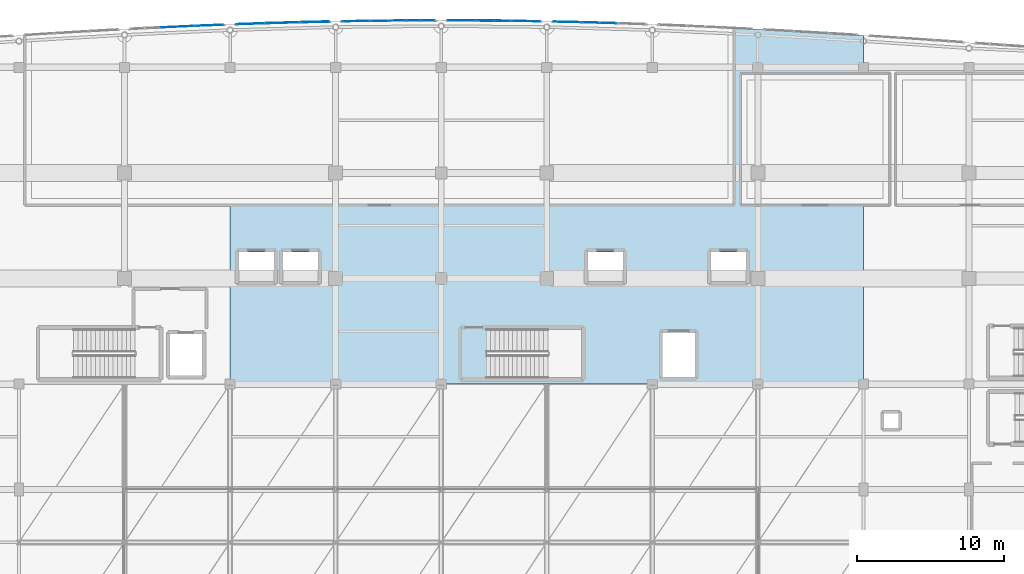
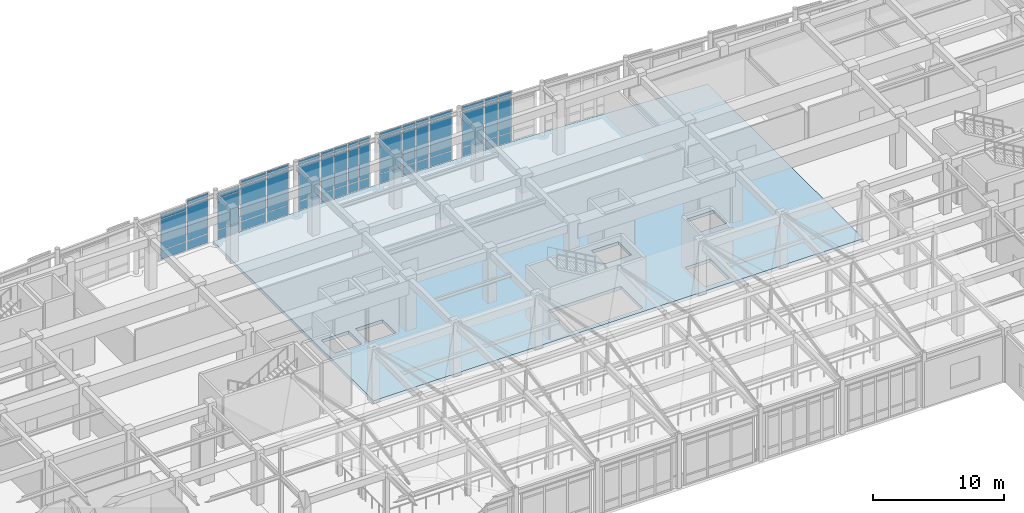
# One storey, part 75 of 117: 51 plates, 1 slab, 13 elements without a shape of their own.
"""IFC4 building model written with IfcOpenShell, lengths in metres."""

from ifc_helpers import new_model, si_unit, direction, frame, origin, origin_2d, place, context, subcontext, project, spatial, polyline, rectangle, outline, extrude, material, layer, layer_set, type_object, element, aggregate, save


model = new_model("IFC4")

# Units and contexts
model_context = context("Model", 3, precision=1e-05, world=origin(), true_north=direction((0.0, 1.0)))
body_context = subcontext(model_context, "Body", "Model", "MODEL_VIEW")
ifc_project = project(units=[si_unit("LENGTHUNIT", "METRE"), si_unit("AREAUNIT", "SQUARE_METRE"), si_unit("VOLUMEUNIT", "CUBIC_METRE"), si_unit("PLANEANGLEUNIT", "RADIAN"), si_unit("MASSUNIT", "GRAM", prefix="KILO")], contexts=[model_context])

# Site, building, storey
site_placement = place(None, origin())
site = spatial("IfcSite", under=ifc_project, at=site_placement, CompositionType="ELEMENT")
building_placement = place(site_placement, origin())
building = spatial("IfcBuilding", under=site, at=building_placement, Name="Carrowvane Square Congress Hotel", CompositionType="ELEMENT")
storey_placement = place(building_placement, frame((0.0, 0.0, 5.39990234375)))
storey = spatial("IfcBuildingStorey", under=building, at=storey_placement, Name="L01", CompositionType="ELEMENT", Elevation=5.39990234375)

# Curtain wall, plates
ifc_material_1 = material(Name="Anodised aluminium", Category="aluminium")
ifc_layer_1 = layer(ifc_material_1, 0.162109375)
ifc_layer_set_1 = layer_set([ifc_layer_1], Name="Anodised aluminium")
curtain_wall_type_1 = type_object("IfcCurtainWallType", Name="CW-SYS-1", PredefinedType="NOTDEFINED", material=ifc_layer_set_1)
curtain_wall_1_placement = place(storey_placement, origin())
curtain_wall_1 = element("IfcCurtainWall", 1, at=curtain_wall_1_placement, inside=storey, type_object=curtain_wall_type_1, Name="L01 unitised curtain wall 80", PredefinedType="NOTDEFINED")
ifc_material_2 = material(Name="Double-glazed low-E glass", Category="glass")
ifc_layer_2 = layer(ifc_material_2, 0.028076171875)
ifc_layer_set_2 = layer_set([ifc_layer_2], Name="Double-glazed low-E glass")
plate_type_1 = type_object("IfcPlateType", Name="CW-PAN-1", PredefinedType="CURTAIN_PANEL", material=ifc_layer_set_2)
plate_1_placement = place(storey_placement, frame((80.0, 116.173095703125, 0.06005859375), z_axis=(0.0, 0.0, 1.0), x_axis=(0.998968385726, 0.045411059449, 0.0)))
plate_1 = element("IfcPlate", 2, at=plate_1_placement, type_object=plate_type_1, Name="CW-1 panel 1.1", PredefinedType="CURTAIN_PANEL", context=body_context, shape_type="SweptSolid", body=[
    extrude(rectangle(XDim=2.282470703125, YDim=0.028076171875, at=origin_2d()), origin(), (0.0, 0.0, 1.0), 0.81005859375),
])
plate_2_placement = place(storey_placement, frame((80.0, 116.173095703125, 0.929931640625), z_axis=(0.0, 0.0, 1.0), x_axis=(0.998968385726, 0.045411059449, 0.0)))
plate_2 = element("IfcPlate", 3, at=plate_2_placement, type_object=plate_type_1, Name="CW-1 panel 1.2", PredefinedType="CURTAIN_PANEL", context=body_context, shape_type="SweptSolid", body=[
    extrude(rectangle(XDim=2.282470703125, YDim=0.028076171875, at=origin_2d()), origin(), (0.0, 0.0, 1.0), 2.845703125),
])
plate_3_placement = place(storey_placement, frame((80.0, 116.173095703125, 3.835693359375), z_axis=(0.0, 0.0, 1.0), x_axis=(0.998968385726, 0.045411059449, 0.0)))
plate_3 = element("IfcPlate", 4, at=plate_3_placement, type_object=plate_type_1, Name="CW-1 panel 1.3", PredefinedType="CURTAIN_PANEL", context=body_context, shape_type="SweptSolid", body=[
    extrude(rectangle(XDim=2.282470703125, YDim=0.028076171875, at=origin_2d()), origin(), (0.0, 0.0, 1.0), 0.4599609375),
])
aggregate(curtain_wall_1, [plate_1, plate_2, plate_3])

ifc_material_3 = material(Name="Anodised aluminium", Category="aluminium")
ifc_layer_3 = layer(ifc_material_3, 0.221923828125)
ifc_layer_set_3 = layer_set([ifc_layer_3], Name="Anodised aluminium")
curtain_wall_type_2 = type_object("IfcCurtainWallType", Name="CW-SYS-6", PredefinedType="NOTDEFINED", material=ifc_layer_set_3)
curtain_wall_2_placement = place(storey_placement, origin())
curtain_wall_2 = element("IfcCurtainWall", 5, at=curtain_wall_2_placement, inside=storey, type_object=curtain_wall_type_2, Name="L01 unitised curtain wall 85", PredefinedType="NOTDEFINED")
plate_4_placement = place(storey_placement, frame((92.188720703125, 116.55224609375, 0.070068359375), z_axis=(0.0, 0.0, 1.0), x_axis=(0.99986851233, 0.016215981364, 0.0)))
plate_4 = element("IfcPlate", 6, at=plate_4_placement, type_object=plate_type_1, Name="CW-6 panel 1.1", PredefinedType="CURTAIN_PANEL", context=body_context, shape_type="SweptSolid", body=[
    extrude(rectangle(XDim=1.8828125, YDim=0.028076171875, at=origin_2d()), origin(), (0.0, 0.0, 1.0), 0.794921875),
])
plate_5_placement = place(storey_placement, frame((92.188720703125, 116.55224609375, 0.93505859375), z_axis=(0.0, 0.0, 1.0), x_axis=(0.99986851233, 0.016215981364, 0.0)))
plate_5 = element("IfcPlate", 7, at=plate_5_placement, type_object=plate_type_1, Name="CW-6 panel 1.2", PredefinedType="CURTAIN_PANEL", context=body_context, shape_type="SweptSolid", body=[
    extrude(rectangle(XDim=1.8828125, YDim=0.028076171875, at=origin_2d()), origin(), (0.0, 0.0, 1.0), 3.260009765625),
])
plate_6_placement = place(storey_placement, frame((92.188720703125, 116.55224609375, 4.26513671875), z_axis=(0.0, 0.0, 1.0), x_axis=(0.99986851233, 0.016215981364, 0.0)))
plate_6 = element("IfcPlate", 8, at=plate_6_placement, type_object=plate_type_1, Name="CW-6 panel 1.3", PredefinedType="CURTAIN_PANEL", context=body_context, shape_type="SweptSolid", body=[
    extrude(rectangle(XDim=1.8828125, YDim=0.028076171875, at=origin_2d()), origin(), (0.0, 0.0, 1.0), 0.445068359375),
])
aggregate(curtain_wall_2, [plate_4, plate_5, plate_6])

ifc_material_4 = material(Name="Anodised aluminium", Category="aluminium")
ifc_layer_4 = layer(ifc_material_4, 0.18603515625)
ifc_layer_set_4 = layer_set([ifc_layer_4], Name="Anodised aluminium")
curtain_wall_type_3 = type_object("IfcCurtainWallType", Name="CW-SYS-3", PredefinedType="NOTDEFINED", material=ifc_layer_set_4)
curtain_wall_3_placement = place(storey_placement, origin())
curtain_wall_3 = element("IfcCurtainWall", 9, at=curtain_wall_3_placement, inside=storey, type_object=curtain_wall_type_3, Name="L01 unitised curtain wall 90", PredefinedType="NOTDEFINED")
plate_7_placement = place(storey_placement, frame((103.811279296875, 116.55224609375, 0.06005859375), z_axis=(0.0, 0.0, 1.0), x_axis=(0.99986851233, -0.016215981364, 0.0)))
plate_7 = element("IfcPlate", 10, at=plate_7_placement, type_object=plate_type_1, Name="CW-3 panel 1.1", PredefinedType="CURTAIN_PANEL", context=body_context, shape_type="SweptSolid", body=[
    extrude(rectangle(XDim=1.902587890625, YDim=0.028076171875, at=origin_2d()), origin(), (0.0, 0.0, 1.0), 0.81005859375),
])
plate_8_placement = place(storey_placement, frame((103.811279296875, 116.55224609375, 0.93017578125), z_axis=(0.0, 0.0, 1.0), x_axis=(0.99986851233, -0.016215981364, 0.0)))
plate_8 = element("IfcPlate", 11, at=plate_8_placement, type_object=plate_type_1, Name="CW-3 panel 1.2", PredefinedType="CURTAIN_PANEL", context=body_context, shape_type="SweptSolid", body=[
    extrude(rectangle(XDim=1.902587890625, YDim=0.028076171875, at=origin_2d()), origin(), (0.0, 0.0, 1.0), 3.27001953125),
])
plate_9_placement = place(storey_placement, frame((103.811279296875, 116.55224609375, 4.260009765625), z_axis=(0.0, 0.0, 1.0), x_axis=(0.99986851233, -0.016215981364, 0.0)))
plate_9 = element("IfcPlate", 12, at=plate_9_placement, type_object=plate_type_1, Name="CW-3 panel 1.3", PredefinedType="CURTAIN_PANEL", context=body_context, shape_type="SweptSolid", body=[
    extrude(rectangle(XDim=1.902587890625, YDim=0.028076171875, at=origin_2d()), origin(), (0.0, 0.0, 1.0), 0.4599609375),
])
aggregate(curtain_wall_3, [plate_7, plate_8, plate_9])

ifc_material_5 = material(Name="Anodised aluminium", Category="aluminium")
ifc_layer_5 = layer(ifc_material_5, 0.174072265625)
ifc_layer_set_5 = layer_set([ifc_layer_5], Name="Anodised aluminium")
curtain_wall_type_4 = type_object("IfcCurtainWallType", Name="CW-SYS-2", PredefinedType="NOTDEFINED", material=ifc_layer_set_5)
curtain_wall_4_placement = place(storey_placement, origin())
curtain_wall_4 = element("IfcCurtainWall", 13, at=curtain_wall_4_placement, inside=storey, type_object=curtain_wall_type_4, Name="L01 unitised curtain wall 81", PredefinedType="NOTDEFINED")
ifc_material_6 = material(Name="Double-glazed low-E glass", Category="glass")
ifc_layer_6 = layer(ifc_material_6, 0.031982421875)
ifc_layer_set_6 = layer_set([ifc_layer_6], Name="Double-glazed low-E glass")
plate_type_2 = type_object("IfcPlateType", Name="CW-PAN-2", PredefinedType="CURTAIN_PANEL", material=ifc_layer_set_6)
plate_10_placement = place(storey_placement, frame((82.200439453125, 116.267822265625, 0.070068359375), z_axis=(0.0, 0.0, 1.0), x_axis=(0.999194236464, 0.040135742379, 0.0)))
plate_10 = element("IfcPlate", 14, at=plate_10_placement, type_object=plate_type_2, Name="CW-2 panel 1.1", PredefinedType="CURTAIN_PANEL", context=body_context, shape_type="SweptSolid", body=[
    extrude(rectangle(XDim=1.86279296875, YDim=0.031982421875, at=origin_2d()), origin(), (0.0, 0.0, 1.0), 0.794921875),
])
plate_11_placement = place(storey_placement, frame((82.200439453125, 116.267822265625, 0.93505859375), z_axis=(0.0, 0.0, 1.0), x_axis=(0.999194236464, 0.040135742379, 0.0)))
plate_11 = element("IfcPlate", 15, at=plate_11_placement, type_object=plate_type_2, Name="CW-2 panel 1.2", PredefinedType="CURTAIN_PANEL", context=body_context, shape_type="SweptSolid", body=[
    extrude(rectangle(XDim=1.86279296875, YDim=0.031982421875, at=origin_2d()), origin(), (0.0, 0.0, 1.0), 3.260009765625),
])
plate_12_placement = place(storey_placement, frame((82.200439453125, 116.267822265625, 4.26513671875), z_axis=(0.0, 0.0, 1.0), x_axis=(0.999194236464, 0.040135742379, 0.0)))
plate_12 = element("IfcPlate", 16, at=plate_12_placement, type_object=plate_type_2, Name="CW-2 panel 1.3", PredefinedType="CURTAIN_PANEL", context=body_context, shape_type="SweptSolid", body=[
    extrude(rectangle(XDim=1.86279296875, YDim=0.031982421875, at=origin_2d()), origin(), (0.0, 0.0, 1.0), 0.445068359375),
])
aggregate(curtain_wall_4, [plate_10, plate_11, plate_12])

ifc_material_7 = material(Name="Anodised aluminium", Category="aluminium")
ifc_layer_7 = layer(ifc_material_7, 0.23388671875)
ifc_layer_set_7 = layer_set([ifc_layer_7], Name="Anodised aluminium")
curtain_wall_type_5 = type_object("IfcCurtainWallType", Name="CW-SYS-7", PredefinedType="NOTDEFINED", material=ifc_layer_set_7)
curtain_wall_5_placement = place(storey_placement, origin())
curtain_wall_5 = element("IfcCurtainWall", 17, at=curtain_wall_5_placement, inside=storey, type_object=curtain_wall_type_5, Name="L01 unitised curtain wall 86", PredefinedType="NOTDEFINED")
plate_13_placement = place(storey_placement, frame((93.81494140625, 116.57470703125, 0.06005859375), z_axis=(0.0, 0.0, 1.0), x_axis=(0.999952146231, 0.009782905924, 0.0)))
plate_13 = element("IfcPlate", 18, at=plate_13_placement, type_object=plate_type_2, Name="CW-7 panel 1.1", PredefinedType="CURTAIN_PANEL", context=body_context, shape_type="SweptSolid", body=[
    extrude(rectangle(XDim=1.110107421875, YDim=0.031982421875, at=origin_2d()), origin(), (0.0, 0.0, 1.0), 0.81005859375),
])
plate_14_placement = place(storey_placement, frame((93.81494140625, 116.57470703125, 0.93017578125), z_axis=(0.0, 0.0, 1.0), x_axis=(0.999952146231, 0.009782905924, 0.0)))
plate_14 = element("IfcPlate", 19, at=plate_14_placement, type_object=plate_type_2, Name="CW-7 panel 1.2", PredefinedType="CURTAIN_PANEL", context=body_context, shape_type="SweptSolid", body=[
    extrude(rectangle(XDim=1.110107421875, YDim=0.031982421875, at=origin_2d()), origin(), (0.0, 0.0, 1.0), 3.27001953125),
])
plate_15_placement = place(storey_placement, frame((93.81494140625, 116.57470703125, 4.260009765625), z_axis=(0.0, 0.0, 1.0), x_axis=(0.999952146231, 0.009782905924, 0.0)))
plate_15 = element("IfcPlate", 20, at=plate_15_placement, type_object=plate_type_2, Name="CW-7 panel 1.3", PredefinedType="CURTAIN_PANEL", context=body_context, shape_type="SweptSolid", body=[
    extrude(rectangle(XDim=1.110107421875, YDim=0.031982421875, at=origin_2d()), origin(), (0.0, 0.0, 1.0), 0.4599609375),
])
plate_16_placement = place(storey_placement, frame((94.985107421875, 116.586181640625, 0.06005859375), z_axis=(0.0, 0.0, 1.0), x_axis=(0.999952146231, 0.009782905924, 0.0)))
plate_16 = element("IfcPlate", 21, at=plate_16_placement, type_object=plate_type_2, Name="CW-7 panel 2.1", PredefinedType="CURTAIN_PANEL", context=body_context, shape_type="SweptSolid", body=[
    extrude(rectangle(XDim=1.110107421875, YDim=0.031982421875, at=origin_2d()), origin(), (0.0, 0.0, 1.0), 0.81005859375),
])
plate_17_placement = place(storey_placement, frame((94.985107421875, 116.586181640625, 0.93017578125), z_axis=(0.0, 0.0, 1.0), x_axis=(0.999952146231, 0.009782905924, 0.0)))
plate_17 = element("IfcPlate", 22, at=plate_17_placement, type_object=plate_type_2, Name="CW-7 panel 2.2", PredefinedType="CURTAIN_PANEL", context=body_context, shape_type="SweptSolid", body=[
    extrude(rectangle(XDim=1.110107421875, YDim=0.031982421875, at=origin_2d()), origin(), (0.0, 0.0, 1.0), 3.27001953125),
])
plate_18_placement = place(storey_placement, frame((94.985107421875, 116.586181640625, 4.260009765625), z_axis=(0.0, 0.0, 1.0), x_axis=(0.999952146231, 0.009782905924, 0.0)))
plate_18 = element("IfcPlate", 23, at=plate_18_placement, type_object=plate_type_2, Name="CW-7 panel 2.3", PredefinedType="CURTAIN_PANEL", context=body_context, shape_type="SweptSolid", body=[
    extrude(rectangle(XDim=1.110107421875, YDim=0.031982421875, at=origin_2d()), origin(), (0.0, 0.0, 1.0), 0.4599609375),
])
aggregate(curtain_wall_5, [plate_13, plate_14, plate_15, plate_16, plate_17, plate_18])

ifc_material_8 = material(Name="Anodised aluminium", Category="aluminium")
ifc_layer_8 = layer(ifc_material_8, 0.197998046875)
ifc_layer_set_8 = layer_set([ifc_layer_8], Name="Anodised aluminium")
curtain_wall_type_6 = type_object("IfcCurtainWallType", Name="CW-SYS-4", PredefinedType="NOTDEFINED", material=ifc_layer_set_8)
curtain_wall_6_placement = place(storey_placement, origin())
curtain_wall_6 = element("IfcCurtainWall", 24, at=curtain_wall_6_placement, inside=storey, type_object=curtain_wall_type_6, Name="L01 unitised curtain wall 91", PredefinedType="NOTDEFINED")
plate_19_placement = place(storey_placement, frame((106.59619140625, 116.498291015625, 0.070068359375), z_axis=(0.0, 0.0, 1.0), x_axis=(0.99974644475, -0.022517686606, 0.0)))
plate_19 = element("IfcPlate", 25, at=plate_19_placement, type_object=plate_type_2, Name="CW-4 panel 1.1", PredefinedType="CURTAIN_PANEL", context=body_context, shape_type="SweptSolid", body=[
    extrude(rectangle(XDim=1.8681640625, YDim=0.031982421875, at=origin_2d()), origin(), (0.0, 0.0, 1.0), 0.794921875),
])
plate_20_placement = place(storey_placement, frame((106.59619140625, 116.498291015625, 0.93505859375), z_axis=(0.0, 0.0, 1.0), x_axis=(0.99974644475, -0.022517686606, 0.0)))
plate_20 = element("IfcPlate", 26, at=plate_20_placement, type_object=plate_type_2, Name="CW-4 panel 1.2", PredefinedType="CURTAIN_PANEL", context=body_context, shape_type="SweptSolid", body=[
    extrude(rectangle(XDim=1.8681640625, YDim=0.031982421875, at=origin_2d()), origin(), (0.0, 0.0, 1.0), 3.260009765625),
])
plate_21_placement = place(storey_placement, frame((106.59619140625, 116.498291015625, 4.26513671875), z_axis=(0.0, 0.0, 1.0), x_axis=(0.99974644475, -0.022517686606, 0.0)))
plate_21 = element("IfcPlate", 27, at=plate_21_placement, type_object=plate_type_2, Name="CW-4 panel 1.3", PredefinedType="CURTAIN_PANEL", context=body_context, shape_type="SweptSolid", body=[
    extrude(rectangle(XDim=1.8681640625, YDim=0.031982421875, at=origin_2d()), origin(), (0.0, 0.0, 1.0), 0.445068359375),
])
aggregate(curtain_wall_6, [plate_19, plate_20, plate_21])

curtain_wall_7_placement = place(storey_placement, origin())
curtain_wall_7 = element("IfcCurtainWall", 28, at=curtain_wall_7_placement, inside=storey, type_object=curtain_wall_type_3, Name="L01 unitised curtain wall 82", PredefinedType="NOTDEFINED")
ifc_material_9 = material(Name="Double-glazed low-E glass", Category="glass")
ifc_layer_9 = layer(ifc_material_9, 0.035888671875)
ifc_layer_set_9 = layer_set([ifc_layer_9], Name="Double-glazed low-E glass")
plate_type_3 = type_object("IfcPlateType", Name="CW-PAN-3", PredefinedType="CURTAIN_PANEL", material=ifc_layer_set_9)
plate_22_placement = place(storey_placement, frame((84.9853515625, 116.371826171875, 0.06005859375), z_axis=(0.0, 0.0, 1.0), x_axis=(0.999403774749, 0.034526729036, 0.0)))
plate_22 = element("IfcPlate", 29, at=plate_22_placement, type_object=plate_type_3, Name="CW-3 panel 1.1", PredefinedType="CURTAIN_PANEL", context=body_context, shape_type="SweptSolid", body=[
    extrude(rectangle(XDim=1.91064453125, YDim=0.035888671875, at=origin_2d()), origin(), (0.0, 0.0, 1.0), 0.81005859375),
])
plate_23_placement = place(storey_placement, frame((84.9853515625, 116.371826171875, 0.929931640625), z_axis=(0.0, 0.0, 1.0), x_axis=(0.999403774749, 0.034526729036, 0.0)))
plate_23 = element("IfcPlate", 30, at=plate_23_placement, type_object=plate_type_3, Name="CW-3 panel 1.2", PredefinedType="CURTAIN_PANEL", context=body_context, shape_type="SweptSolid", body=[
    extrude(rectangle(XDim=1.91064453125, YDim=0.035888671875, at=origin_2d()), origin(), (0.0, 0.0, 1.0), 2.845703125),
])
plate_24_placement = place(storey_placement, frame((84.9853515625, 116.371826171875, 3.835693359375), z_axis=(0.0, 0.0, 1.0), x_axis=(0.999403774749, 0.034526729036, 0.0)))
plate_24 = element("IfcPlate", 31, at=plate_24_placement, type_object=plate_type_3, Name="CW-3 panel 1.3", PredefinedType="CURTAIN_PANEL", context=body_context, shape_type="SweptSolid", body=[
    extrude(rectangle(XDim=1.91064453125, YDim=0.035888671875, at=origin_2d()), origin(), (0.0, 0.0, 1.0), 0.4599609375),
])
aggregate(curtain_wall_7, [plate_22, plate_23, plate_24])

ifc_material_10 = material(Name="Anodised aluminium", Category="aluminium")
ifc_layer_10 = layer(ifc_material_10, 0.24609375)
ifc_layer_set_10 = layer_set([ifc_layer_10], Name="Anodised aluminium")
curtain_wall_type_7 = type_object("IfcCurtainWallType", Name="CW-SYS-8", PredefinedType="NOTDEFINED", material=ifc_layer_set_10)
curtain_wall_8_placement = place(storey_placement, origin())
curtain_wall_8 = element("IfcCurtainWall", 32, at=curtain_wall_8_placement, inside=storey, type_object=curtain_wall_type_7, Name="L01 unitised curtain wall 87", PredefinedType="NOTDEFINED")
plate_25_placement = place(storey_placement, frame((96.121337890625, 116.59375, 0.070068359375), z_axis=(0.0, 0.0, 1.0), x_axis=(0.999994652529, 0.003270307911, 0.0)))
plate_25 = element("IfcPlate", 33, at=plate_25_placement, type_object=plate_type_3, Name="CW-8 panel 1.1", PredefinedType="CURTAIN_PANEL", context=body_context, shape_type="SweptSolid", body=[
    extrude(rectangle(XDim=0.902587890625, YDim=0.035888671875, at=origin_2d()), origin(), (0.0, 0.0, 1.0), 0.794921875),
])
plate_26_placement = place(storey_placement, frame((96.121337890625, 116.59375, 0.93505859375), z_axis=(0.0, 0.0, 1.0), x_axis=(0.999994652529, 0.003270307911, 0.0)))
plate_26 = element("IfcPlate", 34, at=plate_26_placement, type_object=plate_type_3, Name="CW-8 panel 1.2", PredefinedType="CURTAIN_PANEL", context=body_context, shape_type="SweptSolid", body=[
    extrude(rectangle(XDim=0.902587890625, YDim=0.035888671875, at=origin_2d()), origin(), (0.0, 0.0, 1.0), 3.260009765625),
])
plate_27_placement = place(storey_placement, frame((96.121337890625, 116.59375, 4.26513671875), z_axis=(0.0, 0.0, 1.0), x_axis=(0.999994652529, 0.003270307911, 0.0)))
plate_27 = element("IfcPlate", 35, at=plate_27_placement, type_object=plate_type_3, Name="CW-8 panel 1.3", PredefinedType="CURTAIN_PANEL", context=body_context, shape_type="SweptSolid", body=[
    extrude(rectangle(XDim=0.902587890625, YDim=0.035888671875, at=origin_2d()), origin(), (0.0, 0.0, 1.0), 0.445068359375),
])
plate_28_placement = place(storey_placement, frame((97.09375, 116.596923828125, 0.070068359375), z_axis=(0.0, 0.0, 1.0), x_axis=(0.999994652529, 0.003270307911, 0.0)))
plate_28 = element("IfcPlate", 36, at=plate_28_placement, type_object=plate_type_3, Name="CW-8 panel 2.1", PredefinedType="CURTAIN_PANEL", context=body_context, shape_type="SweptSolid", body=[
    extrude(rectangle(XDim=0.902587890625, YDim=0.035888671875, at=origin_2d()), origin(), (0.0, 0.0, 1.0), 0.794921875),
])
plate_29_placement = place(storey_placement, frame((97.09375, 116.596923828125, 0.93505859375), z_axis=(0.0, 0.0, 1.0), x_axis=(0.999994652529, 0.003270307911, 0.0)))
plate_29 = element("IfcPlate", 37, at=plate_29_placement, type_object=plate_type_3, Name="CW-8 panel 2.2", PredefinedType="CURTAIN_PANEL", context=body_context, shape_type="SweptSolid", body=[
    extrude(rectangle(XDim=0.902587890625, YDim=0.035888671875, at=origin_2d()), origin(), (0.0, 0.0, 1.0), 3.260009765625),
])
plate_30_placement = place(storey_placement, frame((97.09375, 116.596923828125, 4.26513671875), z_axis=(0.0, 0.0, 1.0), x_axis=(0.999994652529, 0.003270307911, 0.0)))
plate_30 = element("IfcPlate", 38, at=plate_30_placement, type_object=plate_type_3, Name="CW-8 panel 2.3", PredefinedType="CURTAIN_PANEL", context=body_context, shape_type="SweptSolid", body=[
    extrude(rectangle(XDim=0.902587890625, YDim=0.035888671875, at=origin_2d()), origin(), (0.0, 0.0, 1.0), 0.445068359375),
])
aggregate(curtain_wall_8, [plate_25, plate_26, plate_27, plate_28, plate_29, plate_30])

ifc_material_11 = material(Name="Anodised aluminium", Category="aluminium")
ifc_layer_11 = layer(ifc_material_11, 0.2099609375)
ifc_layer_set_11 = layer_set([ifc_layer_11], Name="Anodised aluminium")
curtain_wall_type_8 = type_object("IfcCurtainWallType", Name="CW-SYS-5", PredefinedType="NOTDEFINED", material=ifc_layer_set_11)
curtain_wall_9_placement = place(storey_placement, origin())
curtain_wall_9 = element("IfcCurtainWall", 39, at=curtain_wall_9_placement, inside=storey, type_object=curtain_wall_type_8, Name="L01 unitised curtain wall 92", PredefinedType="NOTDEFINED")
plate_31_placement = place(storey_placement, frame((108.215087890625, 116.4580078125, 0.06005859375), z_axis=(0.0, 0.0, 1.0), x_axis=(0.999589848065, -0.028638010501, 0.0)))
plate_31 = element("IfcPlate", 40, at=plate_31_placement, type_object=plate_type_3, Name="CW-5 panel 1.1", PredefinedType="CURTAIN_PANEL", context=body_context, shape_type="SweptSolid", body=[
    extrude(rectangle(XDim=1.110595703125, YDim=0.035888671875, at=origin_2d()), origin(), (0.0, 0.0, 1.0), 0.81005859375),
])
plate_32_placement = place(storey_placement, frame((108.215087890625, 116.4580078125, 0.93017578125), z_axis=(0.0, 0.0, 1.0), x_axis=(0.999589848065, -0.028638010501, 0.0)))
plate_32 = element("IfcPlate", 41, at=plate_32_placement, type_object=plate_type_3, Name="CW-5 panel 1.2", PredefinedType="CURTAIN_PANEL", context=body_context, shape_type="SweptSolid", body=[
    extrude(rectangle(XDim=1.110595703125, YDim=0.035888671875, at=origin_2d()), origin(), (0.0, 0.0, 1.0), 3.27001953125),
])
plate_33_placement = place(storey_placement, frame((108.215087890625, 116.4580078125, 4.260009765625), z_axis=(0.0, 0.0, 1.0), x_axis=(0.999589848065, -0.028638010501, 0.0)))
plate_33 = element("IfcPlate", 42, at=plate_33_placement, type_object=plate_type_3, Name="CW-5 panel 1.3", PredefinedType="CURTAIN_PANEL", context=body_context, shape_type="SweptSolid", body=[
    extrude(rectangle(XDim=1.110595703125, YDim=0.035888671875, at=origin_2d()), origin(), (0.0, 0.0, 1.0), 0.4599609375),
])
plate_34_placement = place(storey_placement, frame((109.385009765625, 116.424560546875, 0.06005859375), z_axis=(0.0, 0.0, 1.0), x_axis=(0.999589848065, -0.028638010501, 0.0)))
plate_34 = element("IfcPlate", 43, at=plate_34_placement, type_object=plate_type_3, Name="CW-5 panel 2.1", PredefinedType="CURTAIN_PANEL", context=body_context, shape_type="SweptSolid", body=[
    extrude(rectangle(XDim=1.110595703125, YDim=0.035888671875, at=origin_2d()), origin(), (0.0, 0.0, 1.0), 0.81005859375),
])
plate_35_placement = place(storey_placement, frame((109.385009765625, 116.424560546875, 0.93017578125), z_axis=(0.0, 0.0, 1.0), x_axis=(0.999589848065, -0.028638010501, 0.0)))
plate_35 = element("IfcPlate", 44, at=plate_35_placement, type_object=plate_type_3, Name="CW-5 panel 2.2", PredefinedType="CURTAIN_PANEL", context=body_context, shape_type="SweptSolid", body=[
    extrude(rectangle(XDim=1.110595703125, YDim=0.035888671875, at=origin_2d()), origin(), (0.0, 0.0, 1.0), 3.27001953125),
])
plate_36_placement = place(storey_placement, frame((109.385009765625, 116.424560546875, 4.260009765625), z_axis=(0.0, 0.0, 1.0), x_axis=(0.999589848065, -0.028638010501, 0.0)))
plate_36 = element("IfcPlate", 45, at=plate_36_placement, type_object=plate_type_3, Name="CW-5 panel 2.3", PredefinedType="CURTAIN_PANEL", context=body_context, shape_type="SweptSolid", body=[
    extrude(rectangle(XDim=1.110595703125, YDim=0.035888671875, at=origin_2d()), origin(), (0.0, 0.0, 1.0), 0.4599609375),
])
aggregate(curtain_wall_9, [plate_31, plate_32, plate_33, plate_34, plate_35, plate_36])

curtain_wall_10_placement = place(storey_placement, origin())
curtain_wall_10 = element("IfcCurtainWall", 46, at=curtain_wall_10_placement, inside=storey, type_object=curtain_wall_type_6, Name="L01 unitised curtain wall 83", PredefinedType="NOTDEFINED")
ifc_material_12 = material(Name="Double-glazed low-E glass", Category="glass")
ifc_layer_12 = layer(ifc_material_12, 0.0419921875)
ifc_layer_set_12 = layer_set([ifc_layer_12], Name="Double-glazed low-E glass")
plate_type_4 = type_object("IfcPlateType", Name="CW-PAN-4", PredefinedType="CURTAIN_PANEL", material=ifc_layer_set_12)
plate_37_placement = place(storey_placement, frame((87.199951171875, 116.44140625, 0.070068359375), z_axis=(0.0, 0.0, 1.0), x_axis=(0.999589848065, 0.028638010501, 0.0)))
plate_37 = element("IfcPlate", 47, at=plate_37_placement, type_object=plate_type_4, Name="CW-4 panel 1.1", PredefinedType="CURTAIN_PANEL", context=body_context, shape_type="SweptSolid", body=[
    extrude(rectangle(XDim=2.260986328125, YDim=0.0419921875, at=origin_2d()), origin(), (0.0, 0.0, 1.0), 0.794921875),
])
plate_38_placement = place(storey_placement, frame((87.199951171875, 116.44140625, 0.93505859375), z_axis=(0.0, 0.0, 1.0), x_axis=(0.999589848065, 0.028638010501, 0.0)))
plate_38 = element("IfcPlate", 48, at=plate_38_placement, type_object=plate_type_4, Name="CW-4 panel 1.2", PredefinedType="CURTAIN_PANEL", context=body_context, shape_type="SweptSolid", body=[
    extrude(rectangle(XDim=2.260986328125, YDim=0.0419921875, at=origin_2d()), origin(), (0.0, 0.0, 1.0), 3.260009765625),
])
plate_39_placement = place(storey_placement, frame((87.199951171875, 116.44140625, 4.26513671875), z_axis=(0.0, 0.0, 1.0), x_axis=(0.999589848065, 0.028638010501, 0.0)))
plate_39 = element("IfcPlate", 49, at=plate_39_placement, type_object=plate_type_4, Name="CW-4 panel 1.3", PredefinedType="CURTAIN_PANEL", context=body_context, shape_type="SweptSolid", body=[
    extrude(rectangle(XDim=2.260986328125, YDim=0.0419921875, at=origin_2d()), origin(), (0.0, 0.0, 1.0), 0.445068359375),
])
aggregate(curtain_wall_10, [plate_37, plate_38, plate_39])

curtain_wall_11_placement = place(storey_placement, origin())
curtain_wall_11 = element("IfcCurtainWall", 50, at=curtain_wall_11_placement, inside=storey, type_object=curtain_wall_type_1, Name="L01 unitised curtain wall 88", PredefinedType="NOTDEFINED")
plate_40_placement = place(storey_placement, frame((99.392333984375, 116.595458984375, 0.06005859375), z_axis=(0.0, 0.0, 1.0), x_axis=(0.999994652529, -0.003270307911, 0.0)))
plate_40 = element("IfcPlate", 51, at=plate_40_placement, type_object=plate_type_4, Name="CW-1 panel 1.1", PredefinedType="CURTAIN_PANEL", context=body_context, shape_type="SweptSolid", body=[
    extrude(rectangle(XDim=1.89501953125, YDim=0.0419921875, at=origin_2d()), origin(), (0.0, 0.0, 1.0), 0.81005859375),
])
plate_41_placement = place(storey_placement, frame((99.392333984375, 116.595458984375, 0.93017578125), z_axis=(0.0, 0.0, 1.0), x_axis=(0.999994652529, -0.003270307911, 0.0)))
plate_41 = element("IfcPlate", 52, at=plate_41_placement, type_object=plate_type_4, Name="CW-1 panel 1.2", PredefinedType="CURTAIN_PANEL", context=body_context, shape_type="SweptSolid", body=[
    extrude(rectangle(XDim=1.89501953125, YDim=0.0419921875, at=origin_2d()), origin(), (0.0, 0.0, 1.0), 3.27001953125),
])
plate_42_placement = place(storey_placement, frame((99.392333984375, 116.595458984375, 4.260009765625), z_axis=(0.0, 0.0, 1.0), x_axis=(0.999994652529, -0.003270307911, 0.0)))
plate_42 = element("IfcPlate", 53, at=plate_42_placement, type_object=plate_type_4, Name="CW-1 panel 1.3", PredefinedType="CURTAIN_PANEL", context=body_context, shape_type="SweptSolid", body=[
    extrude(rectangle(XDim=1.89501953125, YDim=0.0419921875, at=origin_2d()), origin(), (0.0, 0.0, 1.0), 0.4599609375),
])
aggregate(curtain_wall_11, [plate_40, plate_41, plate_42])

curtain_wall_12_placement = place(storey_placement, origin())
curtain_wall_12 = element("IfcCurtainWall", 54, at=curtain_wall_12_placement, inside=storey, type_object=curtain_wall_type_8, Name="L01 unitised curtain wall 84", PredefinedType="NOTDEFINED")
ifc_material_13 = material(Name="Double-glazed low-E glass", Category="glass")
ifc_layer_13 = layer(ifc_material_13, 0.048095703125)
ifc_layer_set_13 = layer_set([ifc_layer_13], Name="Double-glazed low-E glass")
plate_type_5 = type_object("IfcPlateType", Name="CW-PAN-5", PredefinedType="CURTAIN_PANEL", material=ifc_layer_set_13)
plate_43_placement = place(storey_placement, frame((89.40380859375, 116.498291015625, 0.06005859375), z_axis=(0.0, 0.0, 1.0), x_axis=(0.99974644475, 0.022517686606, 0.0)))
plate_43 = element("IfcPlate", 55, at=plate_43_placement, type_object=plate_type_5, Name="CW-5 panel 1.1", PredefinedType="CURTAIN_PANEL", context=body_context, shape_type="SweptSolid", body=[
    extrude(rectangle(XDim=1.88818359375, YDim=0.048095703125, at=origin_2d()), origin(), (0.0, 0.0, 1.0), 0.81005859375),
])
plate_44_placement = place(storey_placement, frame((89.40380859375, 116.498291015625, 0.93017578125), z_axis=(0.0, 0.0, 1.0), x_axis=(0.99974644475, 0.022517686606, 0.0)))
plate_44 = element("IfcPlate", 56, at=plate_44_placement, type_object=plate_type_5, Name="CW-5 panel 1.2", PredefinedType="CURTAIN_PANEL", context=body_context, shape_type="SweptSolid", body=[
    extrude(rectangle(XDim=1.88818359375, YDim=0.048095703125, at=origin_2d()), origin(), (0.0, 0.0, 1.0), 3.27001953125),
])
plate_45_placement = place(storey_placement, frame((89.40380859375, 116.498291015625, 4.260009765625), z_axis=(0.0, 0.0, 1.0), x_axis=(0.99974644475, 0.022517686606, 0.0)))
plate_45 = element("IfcPlate", 57, at=plate_45_placement, type_object=plate_type_5, Name="CW-5 panel 1.3", PredefinedType="CURTAIN_PANEL", context=body_context, shape_type="SweptSolid", body=[
    extrude(rectangle(XDim=1.88818359375, YDim=0.048095703125, at=origin_2d()), origin(), (0.0, 0.0, 1.0), 0.4599609375),
])
aggregate(curtain_wall_12, [plate_43, plate_44, plate_45])

curtain_wall_13_placement = place(storey_placement, origin())
curtain_wall_13 = element("IfcCurtainWall", 58, at=curtain_wall_13_placement, inside=storey, type_object=curtain_wall_type_4, Name="L01 unitised curtain wall 89", PredefinedType="NOTDEFINED")
plate_46_placement = place(storey_placement, frame((101.017578125, 116.586181640625, 0.070068359375), z_axis=(0.0, 0.0, 1.0), x_axis=(0.999952146231, -0.009782905924, 0.0)))
plate_46 = element("IfcPlate", 59, at=plate_46_placement, type_object=plate_type_5, Name="CW-2 panel 1.1", PredefinedType="CURTAIN_PANEL", context=body_context, shape_type="SweptSolid", body=[
    extrude(rectangle(XDim=1.094970703125, YDim=0.048095703125, at=origin_2d()), origin(), (0.0, 0.0, 1.0), 0.794921875),
])
plate_47_placement = place(storey_placement, frame((101.017578125, 116.586181640625, 0.93505859375), z_axis=(0.0, 0.0, 1.0), x_axis=(0.999952146231, -0.009782905924, 0.0)))
plate_47 = element("IfcPlate", 60, at=plate_47_placement, type_object=plate_type_5, Name="CW-2 panel 1.2", PredefinedType="CURTAIN_PANEL", context=body_context, shape_type="SweptSolid", body=[
    extrude(rectangle(XDim=1.094970703125, YDim=0.048095703125, at=origin_2d()), origin(), (0.0, 0.0, 1.0), 3.260009765625),
])
plate_48_placement = place(storey_placement, frame((101.017578125, 116.586181640625, 4.26513671875), z_axis=(0.0, 0.0, 1.0), x_axis=(0.999952146231, -0.009782905924, 0.0)))
plate_48 = element("IfcPlate", 61, at=plate_48_placement, type_object=plate_type_5, Name="CW-2 panel 1.3", PredefinedType="CURTAIN_PANEL", context=body_context, shape_type="SweptSolid", body=[
    extrude(rectangle(XDim=1.094970703125, YDim=0.048095703125, at=origin_2d()), origin(), (0.0, 0.0, 1.0), 0.445068359375),
])
plate_49_placement = place(storey_placement, frame((102.182373046875, 116.57470703125, 0.070068359375), z_axis=(0.0, 0.0, 1.0), x_axis=(0.999952146231, -0.009782905924, 0.0)))
plate_49 = element("IfcPlate", 62, at=plate_49_placement, type_object=plate_type_5, Name="CW-2 panel 2.1", PredefinedType="CURTAIN_PANEL", context=body_context, shape_type="SweptSolid", body=[
    extrude(rectangle(XDim=1.094970703125, YDim=0.048095703125, at=origin_2d()), origin(), (0.0, 0.0, 1.0), 0.794921875),
])
plate_50_placement = place(storey_placement, frame((102.182373046875, 116.57470703125, 0.93505859375), z_axis=(0.0, 0.0, 1.0), x_axis=(0.999952146231, -0.009782905924, 0.0)))
plate_50 = element("IfcPlate", 63, at=plate_50_placement, type_object=plate_type_5, Name="CW-2 panel 2.2", PredefinedType="CURTAIN_PANEL", context=body_context, shape_type="SweptSolid", body=[
    extrude(rectangle(XDim=1.094970703125, YDim=0.048095703125, at=origin_2d()), origin(), (0.0, 0.0, 1.0), 3.260009765625),
])
plate_51_placement = place(storey_placement, frame((102.182373046875, 116.57470703125, 4.26513671875), z_axis=(0.0, 0.0, 1.0), x_axis=(0.999952146231, -0.009782905924, 0.0)))
plate_51 = element("IfcPlate", 64, at=plate_51_placement, type_object=plate_type_5, Name="CW-2 panel 2.3", PredefinedType="CURTAIN_PANEL", context=body_context, shape_type="SweptSolid", body=[
    extrude(rectangle(XDim=1.094970703125, YDim=0.048095703125, at=origin_2d()), origin(), (0.0, 0.0, 1.0), 0.445068359375),
])
aggregate(curtain_wall_13, [plate_46, plate_47, plate_48, plate_49, plate_50, plate_51])

# Slab
ifc_material_14 = material(Name="Concrete C35/45", Category="concrete")
ifc_layer_14 = layer(ifc_material_14, 0.300048828125)
ifc_layer_set_14 = layer_set([ifc_layer_14], Name="Concrete C35/45")
slab_type = type_object("IfcSlabType", Name="SLB-FLR-300", PredefinedType="FLOOR", material=ifc_layer_set_14)
slab_placement = place(storey_placement, frame((0.0, 0.0, -0.2998046875)))
element("IfcSlab", 65, at=slab_placement, inside=storey, type_object=slab_type, Name="L01 Hotel Wing slab panel 2", PredefinedType="FLOOR", context=body_context, shape_type="SweptSolid", body=[
    extrude(outline(polyline([(83.60009765625, 91.800048828125), (126.800048828125, 91.800048828125), (126.800048828125, 115.57421875), (124.39990234375, 115.724365234375), (122.0, 115.86572265625), (119.60009765625, 115.99755859375), (117.199951171875, 116.118408203125), (114.800048828125, 116.2275390625), (112.39990234375, 116.323974609375), (110.0, 116.406982421875), (107.60009765625, 116.4755859375), (105.199951171875, 116.52978515625), (102.800048828125, 116.568603515625), (100.39990234375, 116.592041015625), (98.0, 116.60009765625), (95.60009765625, 116.592041015625), (93.199951171875, 116.568603515625), (90.800048828125, 116.52978515625), (88.39990234375, 116.4755859375), (86.0, 116.406982421875), (83.60009765625, 116.323974609375), (83.60009765625, 91.800048828125)]), holes=[polyline([(101.1201171875, 92.199951171875), (107.60009765625, 92.199951171875), (107.60009765625, 95.56005859375), (101.1201171875, 95.56005859375), (101.1201171875, 92.199951171875)]), polyline([(84.199951171875, 98.800048828125), (86.60009765625, 98.800048828125), (86.60009765625, 100.800048828125), (84.199951171875, 100.800048828125), (84.199951171875, 98.800048828125)]), polyline([(87.199951171875, 98.800048828125), (89.60009765625, 98.800048828125), (89.60009765625, 100.800048828125), (87.199951171875, 100.800048828125), (87.199951171875, 98.800048828125)]), polyline([(108.0, 98.800048828125), (110.39990234375, 98.800048828125), (110.39990234375, 100.800048828125), (108.0, 100.800048828125), (108.0, 98.800048828125)]), polyline([(116.39990234375, 98.800048828125), (118.800048828125, 98.800048828125), (118.800048828125, 100.800048828125), (116.39990234375, 100.800048828125), (116.39990234375, 98.800048828125)]), polyline([(113.10009765625, 92.300048828125), (115.300048828125, 92.300048828125), (115.300048828125, 95.300048828125), (113.10009765625, 95.300048828125), (113.10009765625, 92.300048828125)])]), origin(), (0.0, 0.0, 1.0), 0.2998046875),
])

save(model, "model.ifc")
